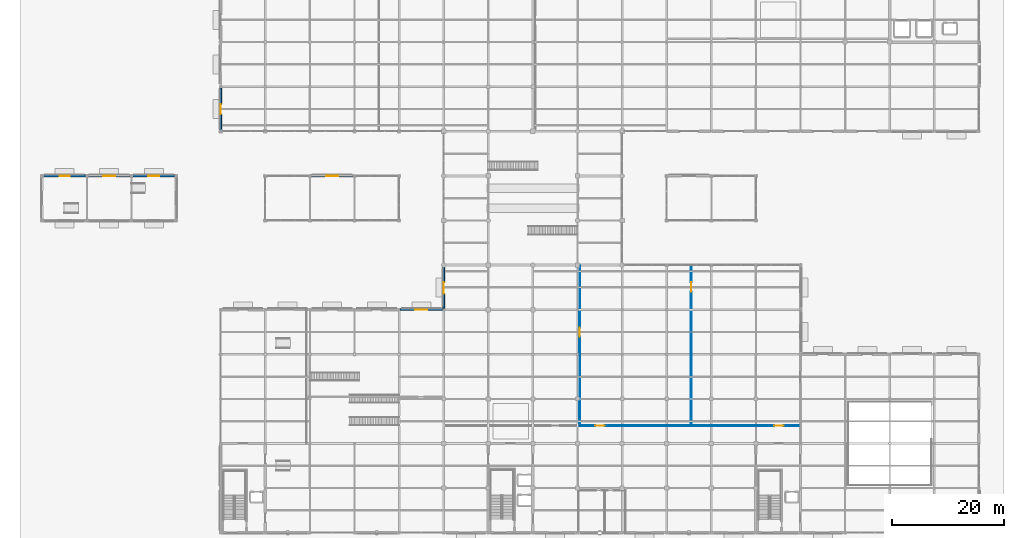
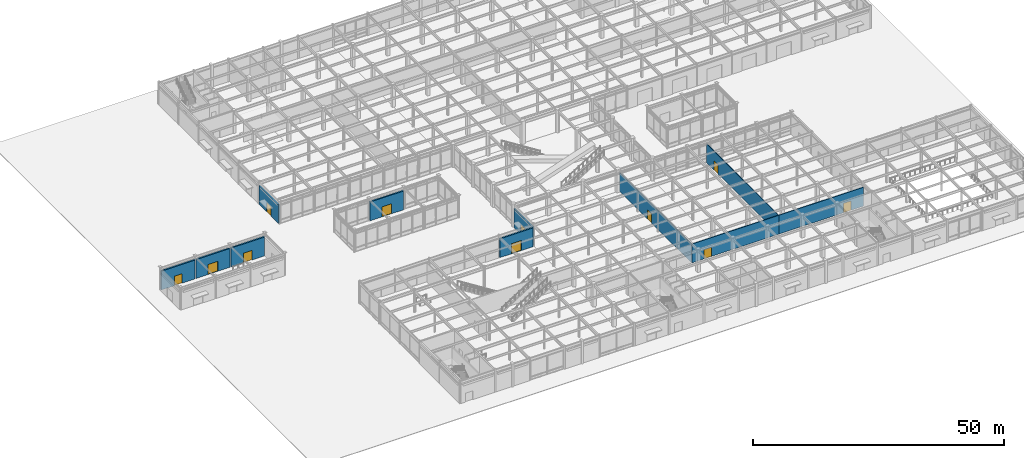
# One storey, part 103 of 128: 11 doors, 11 walls, 11 openings.
"""IFC4 building model written with IfcOpenShell, lengths in metres."""

from ifc_helpers import new_model, si_unit, direction, frame, frame_2d, origin, place, context, subcontext, project, spatial, rectangle, extrude, material, layer, layer_set, type_object, element, fill, save


model = new_model("IFC4")

# Units and contexts
model_context = context("Model", 3, precision=1e-05, world=origin(), true_north=direction((0.0, 1.0)))
body_context = subcontext(model_context, "Body", "Model", "MODEL_VIEW")
ifc_project = project(units=[si_unit("LENGTHUNIT", "METRE"), si_unit("AREAUNIT", "SQUARE_METRE"), si_unit("VOLUMEUNIT", "CUBIC_METRE"), si_unit("PLANEANGLEUNIT", "RADIAN"), si_unit("MASSUNIT", "GRAM", prefix="KILO")], contexts=[model_context])

# Site, building, storey
site_placement = place(None, origin())
site = spatial("IfcSite", under=ifc_project, at=site_placement, CompositionType="ELEMENT")
building_placement = place(site_placement, origin())
building = spatial("IfcBuilding", under=site, at=building_placement, Name="Solmirada Galleria", CompositionType="ELEMENT")
storey_placement = place(building_placement, origin())
storey = spatial("IfcBuildingStorey", under=building, at=storey_placement, Name="L00", CompositionType="ELEMENT", Elevation=0.0)

# Wall, opening, door
ifc_material_1 = material(Name="Precast concrete C40/50", Category="concrete")
ifc_layer_1 = layer(ifc_material_1, 0.340087890625)
ifc_layer_set_1 = layer_set([ifc_layer_1], Name="Precast concrete C40/50")
wall_type_1 = type_object("IfcWallType", Name="WL-EXT-340", PredefinedType="STANDARD", material=ifc_layer_set_1)
wall_1_placement = place(storey_placement, frame((80.0, 40.177978515625, 0.0), z_axis=(0.0, 0.0, 1.0), x_axis=(0.0, 1.0, 0.0)))
wall_1 = element("IfcWall", 1, at=wall_1_placement, inside=storey, type_object=wall_type_1, Name="Exterior wall L00 bay 001", PredefinedType="STANDARD", context=body_context, shape_type="SweptSolid", body=[
    extrude(rectangle(XDim=7.422119140625, YDim=0.340087890625, at=frame_2d((3.7109375, 0.0))), origin(), (0.0, 0.0, 1.0), 4.580078125),
])
opening_1_placement = place(wall_1_placement, frame((2.7109375, 0.0, 0.0)))
opening_1 = element("IfcOpeningElement", 2, at=opening_1_placement, cuts=wall_1, Name="Opening ED-001", PredefinedType="OPENING", context=body_context, shape_type="SweptSolid", body=[
    extrude(rectangle(XDim=2.0, YDim=2.35009765625, at=frame_2d((1.0, 1.175048828125))), frame((0.0, 0.179931640625, 0.0), z_axis=(0.0, -1.0, 0.0), x_axis=(1.0, 0.0, 0.0)), (0.0, 0.0, 1.0), 0.360107421875),
])
ifc_material_2 = material(Name="Thermally broken aluminium and laminated glass door", Category="aluminium")
door_type_1 = type_object("IfcDoorType", Name="DR-ENT-200X235", OperationType="DOUBLE_DOOR_SINGLE_SWING", PredefinedType="DOOR", material=ifc_material_2)
door_1_placement = place(opening_1_placement, origin())
door_1 = element("IfcDoor", 3, at=door_1_placement, inside=storey, type_object=door_type_1, Name="Public avenue entrance door ED-001", OperationType="DOUBLE_DOOR_SINGLE_SWING", OverallHeight=2.35009765625, OverallWidth=2.0, PredefinedType="DOOR", context=body_context, shape_type="SweptSolid", body=[
    extrude(rectangle(XDim=2.0, YDim=2.35009765625, at=frame_2d((1.0, 1.175048828125))), frame((0.0, 0.02490234375, 0.0), z_axis=(0.0, -1.0, 0.0), x_axis=(1.0, 0.0, 0.0)), (0.0, 0.0, 1.0), 0.050048828125),
])
fill(opening_1, door_1)

wall_2_placement = place(storey_placement, frame((40.0, 72.152587890625, 0.0), z_axis=(0.0, 0.0, 1.0), x_axis=(0.0, 1.0, 0.0)))
wall_2 = element("IfcWall", 4, at=wall_2_placement, inside=storey, type_object=wall_type_1, Name="Exterior wall L00 bay 010", PredefinedType="STANDARD", context=body_context, shape_type="SweptSolid", body=[
    extrude(rectangle(XDim=7.66943359375, YDim=0.340087890625, at=frame_2d((3.834716796875, 0.0))), origin(), (0.0, 0.0, 1.0), 4.580078125),
])
opening_2_placement = place(wall_2_placement, frame((2.93505859375, 0.0, 0.0)))
opening_2 = element("IfcOpeningElement", 5, at=opening_2_placement, cuts=wall_2, Name="Opening ED-002", PredefinedType="OPENING", context=body_context, shape_type="SweptSolid", body=[
    extrude(rectangle(XDim=1.800048828125, YDim=2.300048828125, at=frame_2d((0.89990234375, 1.14990234375))), frame((0.0, 0.179931640625, 0.0), z_axis=(0.0, -1.0, 0.0), x_axis=(1.0, 0.0, 0.0)), (0.0, 0.0, 1.0), 0.360107421875),
])
door_type_2 = type_object("IfcDoorType", Name="DR-ENT-180X230", OperationType="DOUBLE_DOOR_SINGLE_SWING", PredefinedType="DOOR", material=ifc_material_2)
door_2_placement = place(opening_2_placement, origin())
door_2 = element("IfcDoor", 6, at=door_2_placement, inside=storey, type_object=door_type_2, Name="Public avenue entrance door ED-002", OperationType="DOUBLE_DOOR_SINGLE_SWING", OverallHeight=2.300048828125, OverallWidth=1.800048828125, PredefinedType="DOOR", context=body_context, shape_type="SweptSolid", body=[
    extrude(rectangle(XDim=1.800048828125, YDim=2.300048828125, at=frame_2d((0.89990234375, 1.14990234375))), frame((0.0, 0.02490234375, 0.0), z_axis=(0.0, -1.0, 0.0), x_axis=(1.0, 0.0, 0.0)), (0.0, 0.0, 1.0), 0.050048828125),
])
fill(opening_2, door_2)

wall_3_placement = place(storey_placement, frame((72.126953125, 40.0, 0.0), z_axis=(0.0, 0.0, 1.0), x_axis=(1.0, 0.0, 0.0)))
wall_3 = element("IfcWall", 7, at=wall_3_placement, inside=storey, type_object=wall_type_1, Name="Exterior wall L00 bay 090", PredefinedType="STANDARD", context=body_context, shape_type="SweptSolid", body=[
    extrude(rectangle(XDim=7.695068359375, YDim=0.340087890625, at=frame_2d((3.84765625, 0.0))), origin(), (0.0, 0.0, 1.0), 4.580078125),
])
opening_3_placement = place(wall_3_placement, frame((2.748046875, 0.0, 0.0)))
opening_3 = element("IfcOpeningElement", 8, at=opening_3_placement, cuts=wall_3, Name="Opening ED-045", PredefinedType="OPENING", context=body_context, shape_type="SweptSolid", body=[
    extrude(rectangle(XDim=2.199951171875, YDim=2.449951171875, at=frame_2d((1.10009765625, 1.22509765625))), frame((0.0, 0.179931640625, 0.0), z_axis=(0.0, -1.0, 0.0), x_axis=(1.0, 0.0, 0.0)), (0.0, 0.0, 1.0), 0.360107421875),
])
door_type_3 = type_object("IfcDoorType", Name="DR-ENT-220X245", OperationType="DOUBLE_DOOR_SINGLE_SWING", PredefinedType="DOOR", material=ifc_material_2)
door_3_placement = place(opening_3_placement, origin())
door_3 = element("IfcDoor", 9, at=door_3_placement, inside=storey, type_object=door_type_3, Name="Public avenue entrance door ED-045", OperationType="DOUBLE_DOOR_SINGLE_SWING", OverallHeight=2.449951171875, OverallWidth=2.199951171875, PredefinedType="DOOR", context=body_context, shape_type="SweptSolid", body=[
    extrude(rectangle(XDim=2.199951171875, YDim=2.449951171875, at=frame_2d((1.10009765625, 1.22509765625))), frame((0.0, 0.02490234375, 0.0), z_axis=(0.0, -1.0, 0.0), x_axis=(1.0, 0.0, 0.0)), (0.0, 0.0, 1.0), 0.050048828125),
])
fill(opening_3, door_3)

wall_4_placement = place(storey_placement, frame((8.126953125, 64.0, 0.0), z_axis=(0.0, 0.0, 1.0), x_axis=(1.0, 0.0, 0.0)))
wall_4 = element("IfcWall", 10, at=wall_4_placement, inside=storey, type_object=wall_type_1, Name="Exterior wall L00 bay 095", PredefinedType="STANDARD", context=body_context, shape_type="SweptSolid", body=[
    extrude(rectangle(XDim=7.74609375, YDim=0.340087890625, at=frame_2d((3.873046875, 0.0))), origin(), (0.0, 0.0, 1.0), 4.580078125),
])
opening_4_placement = place(wall_4_placement, frame((2.972900390625, 0.0, 0.0)))
opening_4 = element("IfcOpeningElement", 11, at=opening_4_placement, cuts=wall_4, Name="Opening ED-050", PredefinedType="OPENING", context=body_context, shape_type="SweptSolid", body=[
    extrude(rectangle(XDim=1.800048828125, YDim=2.300048828125, at=frame_2d((0.89990234375, 1.14990234375))), frame((0.0, 0.179931640625, 0.0), z_axis=(0.0, -1.0, 0.0), x_axis=(1.0, 0.0, 0.0)), (0.0, 0.0, 1.0), 0.360107421875),
])
door_4_placement = place(opening_4_placement, origin())
door_4 = element("IfcDoor", 12, at=door_4_placement, inside=storey, type_object=door_type_2, Name="Public avenue entrance door ED-050", OperationType="DOUBLE_DOOR_SINGLE_SWING", OverallHeight=2.300048828125, OverallWidth=1.800048828125, PredefinedType="DOOR", context=body_context, shape_type="SweptSolid", body=[
    extrude(rectangle(XDim=1.800048828125, YDim=2.300048828125, at=frame_2d((0.89990234375, 1.14990234375))), frame((0.0, 0.02490234375, 0.0), z_axis=(0.0, -1.0, 0.0), x_axis=(1.0, 0.0, 0.0)), (0.0, 0.0, 1.0), 0.050048828125),
])
fill(opening_4, door_4)

wall_5_placement = place(storey_placement, frame((16.126953125, 64.0, 0.0), z_axis=(0.0, 0.0, 1.0), x_axis=(1.0, 0.0, 0.0)))
wall_5 = element("IfcWall", 13, at=wall_5_placement, inside=storey, type_object=wall_type_1, Name="Exterior wall L00 bay 096", PredefinedType="STANDARD", context=body_context, shape_type="SweptSolid", body=[
    extrude(rectangle(XDim=7.74609375, YDim=0.340087890625, at=frame_2d((3.873046875, 0.0))), origin(), (0.0, 0.0, 1.0), 4.580078125),
])
opening_5_placement = place(wall_5_placement, frame((2.77294921875, 0.0, 0.0)))
opening_5 = element("IfcOpeningElement", 14, at=opening_5_placement, cuts=wall_5, Name="Opening ED-051", PredefinedType="OPENING", context=body_context, shape_type="SweptSolid", body=[
    extrude(rectangle(XDim=2.199951171875, YDim=2.449951171875, at=frame_2d((1.10009765625, 1.22509765625))), frame((0.0, 0.179931640625, 0.0), z_axis=(0.0, -1.0, 0.0), x_axis=(1.0, 0.0, 0.0)), (0.0, 0.0, 1.0), 0.360107421875),
])
door_5_placement = place(opening_5_placement, origin())
door_5 = element("IfcDoor", 15, at=door_5_placement, inside=storey, type_object=door_type_3, Name="Public avenue entrance door ED-051", OperationType="DOUBLE_DOOR_SINGLE_SWING", OverallHeight=2.449951171875, OverallWidth=2.199951171875, PredefinedType="DOOR", context=body_context, shape_type="SweptSolid", body=[
    extrude(rectangle(XDim=2.199951171875, YDim=2.449951171875, at=frame_2d((1.10009765625, 1.22509765625))), frame((0.0, 0.02490234375, 0.0), z_axis=(0.0, -1.0, 0.0), x_axis=(1.0, 0.0, 0.0)), (0.0, 0.0, 1.0), 0.050048828125),
])
fill(opening_5, door_5)

wall_6_placement = place(storey_placement, frame((24.126953125, 64.0, 0.0), z_axis=(0.0, 0.0, 1.0), x_axis=(1.0, 0.0, 0.0)))
wall_6 = element("IfcWall", 16, at=wall_6_placement, inside=storey, type_object=wall_type_1, Name="Exterior wall L00 bay 097", PredefinedType="STANDARD", context=body_context, shape_type="SweptSolid", body=[
    extrude(rectangle(XDim=7.74609375, YDim=0.340087890625, at=frame_2d((3.873046875, 0.0))), origin(), (0.0, 0.0, 1.0), 4.580078125),
])
opening_6_placement = place(wall_6_placement, frame((2.873046875, 0.0, 0.0)))
opening_6 = element("IfcOpeningElement", 17, at=opening_6_placement, cuts=wall_6, Name="Opening ED-052", PredefinedType="OPENING", context=body_context, shape_type="SweptSolid", body=[
    extrude(rectangle(XDim=2.0, YDim=2.35009765625, at=frame_2d((1.0, 1.175048828125))), frame((0.0, 0.179931640625, 0.0), z_axis=(0.0, -1.0, 0.0), x_axis=(1.0, 0.0, 0.0)), (0.0, 0.0, 1.0), 0.360107421875),
])
door_6_placement = place(opening_6_placement, origin())
door_6 = element("IfcDoor", 18, at=door_6_placement, inside=storey, type_object=door_type_1, Name="Public avenue entrance door ED-052", OperationType="DOUBLE_DOOR_SINGLE_SWING", OverallHeight=2.35009765625, OverallWidth=2.0, PredefinedType="DOOR", context=body_context, shape_type="SweptSolid", body=[
    extrude(rectangle(XDim=2.0, YDim=2.35009765625, at=frame_2d((1.0, 1.175048828125))), frame((0.0, 0.02490234375, 0.0), z_axis=(0.0, -1.0, 0.0), x_axis=(1.0, 0.0, 0.0)), (0.0, 0.0, 1.0), 0.050048828125),
])
fill(opening_6, door_6)

wall_7_placement = place(storey_placement, frame((56.126953125, 64.0, 0.0), z_axis=(0.0, 0.0, 1.0), x_axis=(1.0, 0.0, 0.0)))
wall_7 = element("IfcWall", 19, at=wall_7_placement, inside=storey, type_object=wall_type_1, Name="Exterior wall L00 bay 105", PredefinedType="STANDARD", context=body_context, shape_type="SweptSolid", body=[
    extrude(rectangle(XDim=7.74609375, YDim=0.340087890625, at=frame_2d((3.873046875, 0.0))), origin(), (0.0, 0.0, 1.0), 4.580078125),
])
opening_7_placement = place(wall_7_placement, frame((2.77294921875, 0.0, 0.0)))
opening_7 = element("IfcOpeningElement", 20, at=opening_7_placement, cuts=wall_7, Name="Opening ED-054", PredefinedType="OPENING", context=body_context, shape_type="SweptSolid", body=[
    extrude(rectangle(XDim=2.199951171875, YDim=2.449951171875, at=frame_2d((1.10009765625, 1.22509765625))), frame((0.0, 0.179931640625, 0.0), z_axis=(0.0, -1.0, 0.0), x_axis=(1.0, 0.0, 0.0)), (0.0, 0.0, 1.0), 0.360107421875),
])
door_7_placement = place(opening_7_placement, origin())
door_7 = element("IfcDoor", 21, at=door_7_placement, inside=storey, type_object=door_type_3, Name="West arcade welcome portal door ED-054", OperationType="DOUBLE_DOOR_SINGLE_SWING", OverallHeight=2.449951171875, OverallWidth=2.199951171875, PredefinedType="DOOR", context=body_context, shape_type="SweptSolid", body=[
    extrude(rectangle(XDim=2.199951171875, YDim=2.449951171875, at=frame_2d((1.10009765625, 1.22509765625))), frame((0.0, 0.02490234375, 0.0), z_axis=(0.0, -1.0, 0.0), x_axis=(1.0, 0.0, 0.0)), (0.0, 0.0, 1.0), 0.050048828125),
])
fill(opening_7, door_7)

ifc_material_3 = material(Name="Acoustic gypsum board partition")
ifc_layer_2 = layer(ifc_material_3, 0.135009765625)
ifc_layer_set_2 = layer_set([ifc_layer_2], Name="Acoustic gypsum board partition")
wall_type_2 = type_object("IfcWallType", Name="WL-PART-135", PredefinedType="PARTITIONING", material=ifc_layer_set_2)
wall_8_placement = place(storey_placement, frame((124.39990234375, 19.199951171875, 0.0), z_axis=(0.0, 0.0, 1.0), x_axis=(0.0, 1.0, 0.0)))
wall_8 = element("IfcWall", 22, at=wall_8_placement, inside=storey, type_object=wall_type_2, Name="Partition L00-029 (South Department E L00)", PredefinedType="PARTITIONING", context=body_context, shape_type="SweptSolid", body=[
    extrude(rectangle(XDim=28.650146484375, YDim=0.135009765625, at=frame_2d((14.3251953125, 0.0))), origin(), (0.0, 0.0, 1.0), 4.580078125),
])
opening_8_placement = place(wall_8_placement, frame((24.007080078125, 0.0, 0.0)))
opening_8 = element("IfcOpeningElement", 23, at=opening_8_placement, cuts=wall_8, Name="Opening ID-277", PredefinedType="OPENING", context=body_context, shape_type="SweptSolid", body=[
    extrude(rectangle(XDim=1.699951171875, YDim=2.25, at=frame_2d((0.85009765625, 1.125))), frame((0.0, 0.077392578125, 0.0), z_axis=(0.0, -1.0, 0.0), x_axis=(1.0, 0.0, 0.0)), (0.0, 0.0, 1.0), 0.155029296875),
])
ifc_material_4 = material(Name="Architectural hardwood veneer door", Category="wood")
door_type_4 = type_object("IfcDoorType", Name="DR-DEPT-170X225", OperationType="DOUBLE_DOOR_SINGLE_SWING", PredefinedType="DOOR", material=ifc_material_4)
door_8_placement = place(opening_8_placement, origin())
door_8 = element("IfcDoor", 24, at=door_8_placement, inside=storey, type_object=door_type_4, Name="South Department E L00 door ID-277", OperationType="DOUBLE_DOOR_SINGLE_SWING", OverallHeight=2.25, OverallWidth=1.699951171875, PredefinedType="DOOR", context=body_context, shape_type="SweptSolid", body=[
    extrude(rectangle(XDim=1.699951171875, YDim=2.25, at=frame_2d((0.85009765625, 1.125))), frame((0.0, 0.02490234375, 0.0), z_axis=(0.0, -1.0, 0.0), x_axis=(1.0, 0.0, 0.0)), (0.0, 0.0, 1.0), 0.050048828125),
])
fill(opening_8, door_8)

ifc_layer_3 = layer(ifc_material_3, 0.159912109375)
ifc_layer_set_3 = layer_set([ifc_layer_3], Name="Acoustic gypsum board partition")
wall_type_3 = type_object("IfcWallType", Name="WL-PART-160", PredefinedType="PARTITIONING", material=ifc_layer_set_3)
wall_9_placement = place(storey_placement, frame((104.39990234375, 19.199951171875, 0.0), z_axis=(0.0, 0.0, 1.0), x_axis=(1.0, 0.0, 0.0)))
wall_9 = element("IfcWall", 25, at=wall_9_placement, inside=storey, type_object=wall_type_3, Name="Partition L00-026 (South Gallery C L00)", PredefinedType="PARTITIONING", context=body_context, shape_type="SweptSolid", body=[
    extrude(rectangle(XDim=20.0, YDim=0.159912109375, at=frame_2d((10.0, 0.0))), origin(), (0.0, 0.0, 1.0), 4.580078125),
])
opening_9_placement = place(wall_9_placement, frame((2.820068359375, 0.0, 0.0)))
opening_9 = element("IfcOpeningElement", 26, at=opening_9_placement, cuts=wall_9, Name="Opening ID-274", PredefinedType="OPENING", context=body_context, shape_type="SweptSolid", body=[
    extrude(rectangle(XDim=1.699951171875, YDim=2.25, at=frame_2d((0.85009765625, 1.125))), frame((0.0, 0.08984375, 0.0), z_axis=(0.0, -1.0, 0.0), x_axis=(1.0, 0.0, 0.0)), (0.0, 0.0, 1.0), 0.179931640625),
])
door_9_placement = place(opening_9_placement, origin())
door_9 = element("IfcDoor", 27, at=door_9_placement, inside=storey, type_object=door_type_4, Name="South Gallery C L00 door ID-274", OperationType="DOUBLE_DOOR_SINGLE_SWING", OverallHeight=2.25, OverallWidth=1.699951171875, PredefinedType="DOOR", context=body_context, shape_type="SweptSolid", body=[
    extrude(rectangle(XDim=1.699951171875, YDim=2.25, at=frame_2d((0.85009765625, 1.125))), frame((0.0, 0.02490234375, 0.0), z_axis=(0.0, -1.0, 0.0), x_axis=(1.0, 0.0, 0.0)), (0.0, 0.0, 1.0), 0.050048828125),
])
fill(opening_9, door_9)

wall_10_placement = place(storey_placement, frame((124.39990234375, 19.199951171875, 0.0), z_axis=(0.0, 0.0, 1.0), x_axis=(1.0, 0.0, 0.0)))
wall_10 = element("IfcWall", 28, at=wall_10_placement, inside=storey, type_object=wall_type_3, Name="Partition L00-027 (South Gallery E L00)", PredefinedType="PARTITIONING", context=body_context, shape_type="SweptSolid", body=[
    extrude(rectangle(XDim=19.4501953125, YDim=0.159912109375, at=frame_2d((9.72509765625, 0.0))), origin(), (0.0, 0.0, 1.0), 4.580078125),
])
opening_10_placement = place(wall_10_placement, frame((14.919921875, 0.0, 0.0)))
opening_10 = element("IfcOpeningElement", 29, at=opening_10_placement, cuts=wall_10, Name="Opening ID-275", PredefinedType="OPENING", context=body_context, shape_type="SweptSolid", body=[
    extrude(rectangle(XDim=1.699951171875, YDim=2.25, at=frame_2d((0.85009765625, 1.125))), frame((0.0, 0.08984375, 0.0), z_axis=(0.0, -1.0, 0.0), x_axis=(1.0, 0.0, 0.0)), (0.0, 0.0, 1.0), 0.179931640625),
])
door_10_placement = place(opening_10_placement, origin())
door_10 = element("IfcDoor", 30, at=door_10_placement, inside=storey, type_object=door_type_4, Name="South Gallery E L00 door ID-275", OperationType="DOUBLE_DOOR_SINGLE_SWING", OverallHeight=2.25, OverallWidth=1.699951171875, PredefinedType="DOOR", context=body_context, shape_type="SweptSolid", body=[
    extrude(rectangle(XDim=1.699951171875, YDim=2.25, at=frame_2d((0.85009765625, 1.125))), frame((0.0, 0.02490234375, 0.0), z_axis=(0.0, -1.0, 0.0), x_axis=(1.0, 0.0, 0.0)), (0.0, 0.0, 1.0), 0.050048828125),
])
fill(opening_10, door_10)

wall_11_placement = place(storey_placement, frame((104.39990234375, 19.199951171875, 0.0), z_axis=(0.0, 0.0, 1.0), x_axis=(0.0, 1.0, 0.0)))
wall_11 = element("IfcWall", 31, at=wall_11_placement, inside=storey, type_object=wall_type_3, Name="Partition L00-028 (South Department W L00)", PredefinedType="PARTITIONING", context=body_context, shape_type="SweptSolid", body=[
    extrude(rectangle(XDim=28.650146484375, YDim=0.159912109375, at=frame_2d((14.3251953125, 0.0))), origin(), (0.0, 0.0, 1.0), 4.580078125),
])
opening_11_placement = place(wall_11_placement, frame((15.906005859375, 0.0, 0.0)))
opening_11 = element("IfcOpeningElement", 32, at=opening_11_placement, cuts=wall_11, Name="Opening ID-276", PredefinedType="OPENING", context=body_context, shape_type="SweptSolid", body=[
    extrude(rectangle(XDim=1.699951171875, YDim=2.25, at=frame_2d((0.85009765625, 1.125))), frame((0.0, 0.08984375, 0.0), z_axis=(0.0, -1.0, 0.0), x_axis=(1.0, 0.0, 0.0)), (0.0, 0.0, 1.0), 0.179931640625),
])
door_11_placement = place(opening_11_placement, origin())
door_11 = element("IfcDoor", 33, at=door_11_placement, inside=storey, type_object=door_type_4, Name="South Department W L00 door ID-276", OperationType="DOUBLE_DOOR_SINGLE_SWING", OverallHeight=2.25, OverallWidth=1.699951171875, PredefinedType="DOOR", context=body_context, shape_type="SweptSolid", body=[
    extrude(rectangle(XDim=1.699951171875, YDim=2.25, at=frame_2d((0.85009765625, 1.125))), frame((0.0, 0.02490234375, 0.0), z_axis=(0.0, -1.0, 0.0), x_axis=(1.0, 0.0, 0.0)), (0.0, 0.0, 1.0), 0.050048828125),
])
fill(opening_11, door_11)

save(model, "model.ifc")
